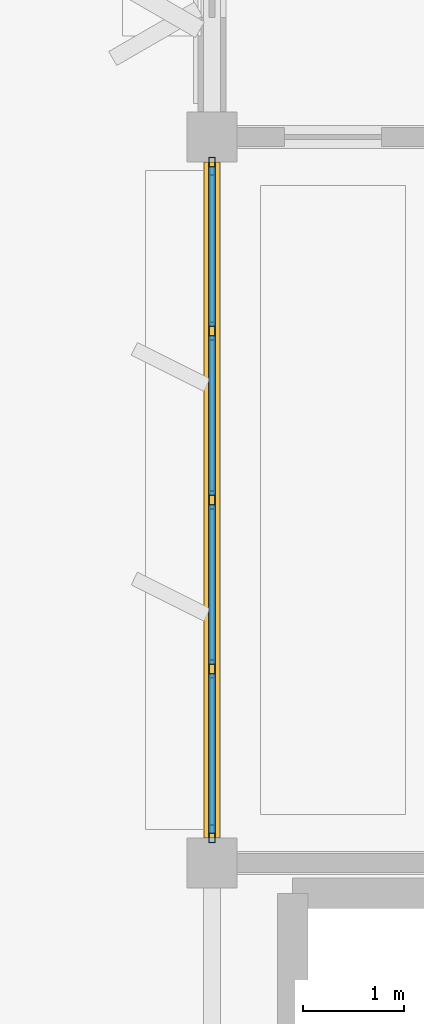
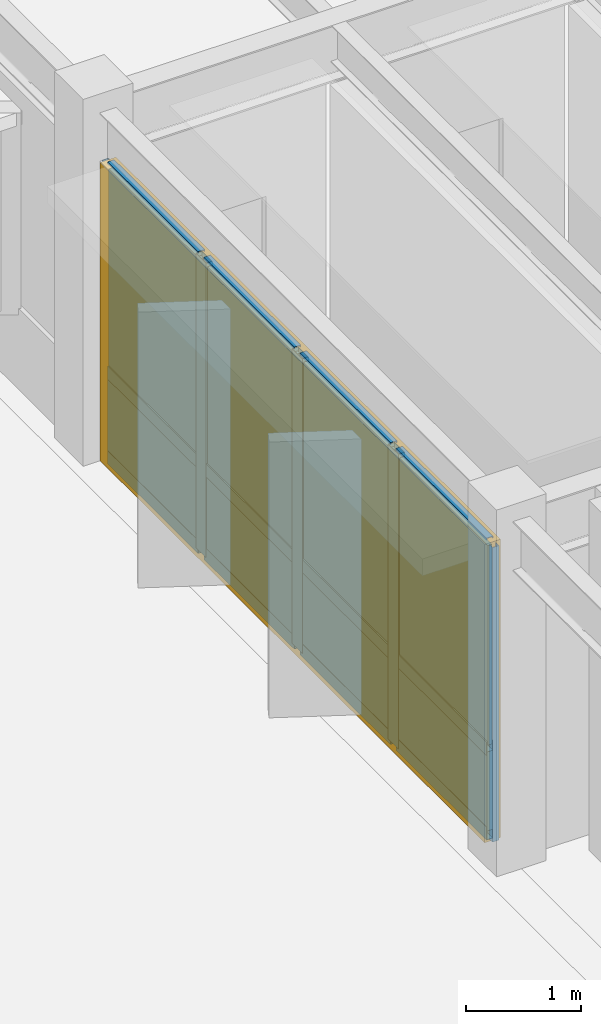
# One storey, part 9 of 23: 17 members, 8 plates, 1 curtain wall.
"""IFC4 building model written with IfcOpenShell, lengths in metres."""

from ifc_helpers import new_model, si_unit, direction, frame, origin, origin_2d, place, context, subcontext, project, spatial, rectangle, hollow_rectangle, extrude, material, layer, layer_set, material_profile, profile_set, type_object, element, aggregate, save


model = new_model("IFC4")

# Units and contexts
model_context = context("Model", 3, precision=1e-05, world=origin(), true_north=direction((0.0, 1.0)))
body_context = subcontext(model_context, "Body", "Model", "MODEL_VIEW")
ifc_project = project(units=[si_unit("LENGTHUNIT", "METRE"), si_unit("AREAUNIT", "SQUARE_METRE"), si_unit("VOLUMEUNIT", "CUBIC_METRE"), si_unit("PLANEANGLEUNIT", "RADIAN"), si_unit("MASSUNIT", "GRAM", prefix="KILO")], contexts=[model_context])

# Member
ifc_material_1 = material(Name="Anodized Aluminium 6063-T6", Category="aluminium")
ifc_material_profile_1 = material_profile(ifc_material_1, hollow_rectangle(XDim=0.06494140625, YDim=0.179931640625, WallThickness=0.00390625, at=origin_2d()), Name="ALU 65x180x4")
ifc_profile_set_1 = profile_set([ifc_material_profile_1], Name="Anodized Aluminium 6063-T6")
member_type_1 = type_object("IfcMemberType", Name="CWM-65X150", PredefinedType="MULLION", material=ifc_profile_set_1)
site_placement = place(None, origin())
building_placement = place(site_placement, origin())
storey_placement = place(building_placement, frame((0.0, 0.0, 21.89990234375)))
member_1_placement = place(storey_placement, frame((50.39990234375, 93.889892578125, 0.02001953125), z_axis=(0.0, 0.0, 1.0), x_axis=(1.0, 0.0, 0.0)))
member_1 = element("IfcMember", 1, at=member_1_placement, type_object=member_type_1, Name="Curtain wall mullion CW-L06-07-13-W-00", PredefinedType="MULLION", context=body_context, shape_type="SweptSolid", body=[
    extrude(hollow_rectangle(XDim=0.06494140625, YDim=0.179931640625, WallThickness=0.00390625, at=origin_2d()), origin(), (0.0, 0.0, 1.0), 3.132080078125),
])

member_2_placement = place(storey_placement, frame((50.39990234375, 95.52490234375, 0.02001953125), z_axis=(0.0, 0.0, 1.0), x_axis=(1.0, 0.0, 0.0)))
member_2 = element("IfcMember", 2, at=member_2_placement, type_object=member_type_1, Name="Curtain wall mullion CW-L06-07-13-W-01", PredefinedType="MULLION", context=body_context, shape_type="SweptSolid", body=[
    extrude(hollow_rectangle(XDim=0.06494140625, YDim=0.179931640625, WallThickness=0.00390625, at=origin_2d()), origin(), (0.0, 0.0, 1.0), 3.132080078125),
])

member_3_placement = place(storey_placement, frame((50.39990234375, 97.199951171875, 0.02001953125), z_axis=(0.0, 0.0, 1.0), x_axis=(1.0, 0.0, 0.0)))
member_3 = element("IfcMember", 3, at=member_3_placement, type_object=member_type_1, Name="Curtain wall mullion CW-L06-07-13-W-02", PredefinedType="MULLION", context=body_context, shape_type="SweptSolid", body=[
    extrude(hollow_rectangle(XDim=0.06494140625, YDim=0.179931640625, WallThickness=0.00390625, at=origin_2d()), origin(), (0.0, 0.0, 1.0), 3.132080078125),
])

member_4_placement = place(storey_placement, frame((50.39990234375, 98.875, 0.02001953125), z_axis=(0.0, 0.0, 1.0), x_axis=(1.0, 0.0, 0.0)))
member_4 = element("IfcMember", 4, at=member_4_placement, type_object=member_type_1, Name="Curtain wall mullion CW-L06-07-13-W-03", PredefinedType="MULLION", context=body_context, shape_type="SweptSolid", body=[
    extrude(hollow_rectangle(XDim=0.06494140625, YDim=0.179931640625, WallThickness=0.00390625, at=origin_2d()), origin(), (0.0, 0.0, 1.0), 3.132080078125),
])

member_5_placement = place(storey_placement, frame((50.39990234375, 100.510009765625, 0.02001953125), z_axis=(0.0, 0.0, 1.0), x_axis=(1.0, 0.0, 0.0)))
member_5 = element("IfcMember", 5, at=member_5_placement, type_object=member_type_1, Name="Curtain wall mullion CW-L06-07-13-W-04", PredefinedType="MULLION", context=body_context, shape_type="SweptSolid", body=[
    extrude(hollow_rectangle(XDim=0.06494140625, YDim=0.179931640625, WallThickness=0.00390625, at=origin_2d()), origin(), (0.0, 0.0, 1.0), 3.132080078125),
])

ifc_material_profile_2 = material_profile(ifc_material_1, hollow_rectangle(XDim=0.06494140625, YDim=0.139892578125, WallThickness=0.00390625, at=origin_2d()), Name="ALU 65x140x4")
ifc_profile_set_2 = profile_set([ifc_material_profile_2], Name="Anodized Aluminium 6063-T6")
member_type_2 = type_object("IfcMemberType", Name="CWT-65X120", PredefinedType="USERDEFINED", material=ifc_profile_set_2)
member_6_placement = place(storey_placement, frame((50.39990234375, 93.89990234375, 0.050048828125), z_axis=(0.0, 1.0, 0.0), x_axis=(-1.0, 0.0, 0.0)))
member_6 = element("IfcMember", 6, at=member_6_placement, type_object=member_type_2, Name="Curtain wall transom CW-L06-07-13-W-1.01", ObjectType="TRANSOM", PredefinedType="USERDEFINED", context=body_context, shape_type="SweptSolid", body=[
    extrude(hollow_rectangle(XDim=0.06494140625, YDim=0.139892578125, WallThickness=0.00390625, at=origin_2d()), origin(), (0.0, 0.0, 1.0), 1.5751953125),
])

member_7_placement = place(storey_placement, frame((50.39990234375, 95.574951171875, 0.050048828125), z_axis=(0.0, 1.0, 0.0), x_axis=(-1.0, 0.0, 0.0)))
member_7 = element("IfcMember", 7, at=member_7_placement, type_object=member_type_2, Name="Curtain wall transom CW-L06-07-13-W-1.02", ObjectType="TRANSOM", PredefinedType="USERDEFINED", context=body_context, shape_type="SweptSolid", body=[
    extrude(hollow_rectangle(XDim=0.06494140625, YDim=0.139892578125, WallThickness=0.00390625, at=origin_2d()), origin(), (0.0, 0.0, 1.0), 1.574951171875),
])

member_8_placement = place(storey_placement, frame((50.39990234375, 97.25, 0.050048828125), z_axis=(0.0, 1.0, 0.0), x_axis=(-1.0, 0.0, 0.0)))
member_8 = element("IfcMember", 8, at=member_8_placement, type_object=member_type_2, Name="Curtain wall transom CW-L06-07-13-W-1.03", ObjectType="TRANSOM", PredefinedType="USERDEFINED", context=body_context, shape_type="SweptSolid", body=[
    extrude(hollow_rectangle(XDim=0.06494140625, YDim=0.139892578125, WallThickness=0.00390625, at=origin_2d()), origin(), (0.0, 0.0, 1.0), 1.574951171875),
])

member_9_placement = place(storey_placement, frame((50.39990234375, 98.925048828125, 0.050048828125), z_axis=(0.0, 1.0, 0.0), x_axis=(-1.0, 0.0, 0.0)))
member_9 = element("IfcMember", 9, at=member_9_placement, type_object=member_type_2, Name="Curtain wall transom CW-L06-07-13-W-1.04", ObjectType="TRANSOM", PredefinedType="USERDEFINED", context=body_context, shape_type="SweptSolid", body=[
    extrude(hollow_rectangle(XDim=0.06494140625, YDim=0.139892578125, WallThickness=0.00390625, at=origin_2d()), origin(), (0.0, 0.0, 1.0), 1.574951171875),
])

member_10_placement = place(storey_placement, frame((50.39990234375, 93.89990234375, 0.9501953125), z_axis=(0.0, 1.0, 0.0), x_axis=(-1.0, 0.0, 0.0)))
member_10 = element("IfcMember", 10, at=member_10_placement, type_object=member_type_2, Name="Curtain wall transom CW-L06-07-13-W-2.01", ObjectType="TRANSOM", PredefinedType="USERDEFINED", context=body_context, shape_type="SweptSolid", body=[
    extrude(hollow_rectangle(XDim=0.06494140625, YDim=0.139892578125, WallThickness=0.00390625, at=origin_2d()), origin(), (0.0, 0.0, 1.0), 1.5751953125),
])

member_11_placement = place(storey_placement, frame((50.39990234375, 95.574951171875, 0.9501953125), z_axis=(0.0, 1.0, 0.0), x_axis=(-1.0, 0.0, 0.0)))
member_11 = element("IfcMember", 11, at=member_11_placement, type_object=member_type_2, Name="Curtain wall transom CW-L06-07-13-W-2.02", ObjectType="TRANSOM", PredefinedType="USERDEFINED", context=body_context, shape_type="SweptSolid", body=[
    extrude(hollow_rectangle(XDim=0.06494140625, YDim=0.139892578125, WallThickness=0.00390625, at=origin_2d()), origin(), (0.0, 0.0, 1.0), 1.574951171875),
])

member_12_placement = place(storey_placement, frame((50.39990234375, 97.25, 0.9501953125), z_axis=(0.0, 1.0, 0.0), x_axis=(-1.0, 0.0, 0.0)))
member_12 = element("IfcMember", 12, at=member_12_placement, type_object=member_type_2, Name="Curtain wall transom CW-L06-07-13-W-2.03", ObjectType="TRANSOM", PredefinedType="USERDEFINED", context=body_context, shape_type="SweptSolid", body=[
    extrude(hollow_rectangle(XDim=0.06494140625, YDim=0.139892578125, WallThickness=0.00390625, at=origin_2d()), origin(), (0.0, 0.0, 1.0), 1.574951171875),
])

member_13_placement = place(storey_placement, frame((50.39990234375, 98.925048828125, 0.9501953125), z_axis=(0.0, 1.0, 0.0), x_axis=(-1.0, 0.0, 0.0)))
member_13 = element("IfcMember", 13, at=member_13_placement, type_object=member_type_2, Name="Curtain wall transom CW-L06-07-13-W-2.04", ObjectType="TRANSOM", PredefinedType="USERDEFINED", context=body_context, shape_type="SweptSolid", body=[
    extrude(hollow_rectangle(XDim=0.06494140625, YDim=0.139892578125, WallThickness=0.00390625, at=origin_2d()), origin(), (0.0, 0.0, 1.0), 1.574951171875),
])

member_14_placement = place(storey_placement, frame((50.39990234375, 93.89990234375, 3.1220703125), z_axis=(0.0, 1.0, 0.0), x_axis=(-1.0, 0.0, 0.0)))
member_14 = element("IfcMember", 14, at=member_14_placement, type_object=member_type_2, Name="Curtain wall transom CW-L06-07-13-W-3.01", ObjectType="TRANSOM", PredefinedType="USERDEFINED", context=body_context, shape_type="SweptSolid", body=[
    extrude(hollow_rectangle(XDim=0.06494140625, YDim=0.139892578125, WallThickness=0.00390625, at=origin_2d()), origin(), (0.0, 0.0, 1.0), 1.5751953125),
])

member_15_placement = place(storey_placement, frame((50.39990234375, 95.574951171875, 3.1220703125), z_axis=(0.0, 1.0, 0.0), x_axis=(-1.0, 0.0, 0.0)))
member_15 = element("IfcMember", 15, at=member_15_placement, type_object=member_type_2, Name="Curtain wall transom CW-L06-07-13-W-3.02", ObjectType="TRANSOM", PredefinedType="USERDEFINED", context=body_context, shape_type="SweptSolid", body=[
    extrude(hollow_rectangle(XDim=0.06494140625, YDim=0.139892578125, WallThickness=0.00390625, at=origin_2d()), origin(), (0.0, 0.0, 1.0), 1.574951171875),
])

member_16_placement = place(storey_placement, frame((50.39990234375, 97.25, 3.1220703125), z_axis=(0.0, 1.0, 0.0), x_axis=(-1.0, 0.0, 0.0)))
member_16 = element("IfcMember", 16, at=member_16_placement, type_object=member_type_2, Name="Curtain wall transom CW-L06-07-13-W-3.03", ObjectType="TRANSOM", PredefinedType="USERDEFINED", context=body_context, shape_type="SweptSolid", body=[
    extrude(hollow_rectangle(XDim=0.06494140625, YDim=0.139892578125, WallThickness=0.00390625, at=origin_2d()), origin(), (0.0, 0.0, 1.0), 1.574951171875),
])

member_17_placement = place(storey_placement, frame((50.39990234375, 98.925048828125, 3.1220703125), z_axis=(0.0, 1.0, 0.0), x_axis=(-1.0, 0.0, 0.0)))
member_17 = element("IfcMember", 17, at=member_17_placement, type_object=member_type_2, Name="Curtain wall transom CW-L06-07-13-W-3.04", ObjectType="TRANSOM", PredefinedType="USERDEFINED", context=body_context, shape_type="SweptSolid", body=[
    extrude(hollow_rectangle(XDim=0.06494140625, YDim=0.139892578125, WallThickness=0.00390625, at=origin_2d()), origin(), (0.0, 0.0, 1.0), 1.574951171875),
])

# Plate
ifc_material_2 = material(Name="Double Low-E Insulated Glazing Unit", Category="glass")
ifc_layer_1 = layer(ifc_material_2, 0.0380859375)
ifc_layer_set_1 = layer_set([ifc_layer_1], Name="Double Low-E Insulated Glazing Unit")
plate_type_1 = type_object("IfcPlateType", Name="CWP-IGU-38", PredefinedType="CURTAIN_PANEL", material=ifc_layer_set_1)
plate_1_placement = place(storey_placement, frame((50.39990234375, 94.6875, 0.989990234375), z_axis=(0.0, 0.0, 1.0), x_axis=(0.0, 1.0, 0.0)))
plate_1 = element("IfcPlate", 18, at=plate_1_placement, type_object=plate_type_1, Name="Curtain wall vision glazing CW-L06-07-13-W-01", PredefinedType="CURTAIN_PANEL", context=body_context, shape_type="SweptSolid", body=[
    extrude(rectangle(XDim=1.5849609375, YDim=0.0400390625, at=origin_2d()), origin(), (0.0, 0.0, 1.0), 2.1220703125),
])

plate_2_placement = place(storey_placement, frame((50.39990234375, 96.362548828125, 0.989990234375), z_axis=(0.0, 0.0, 1.0), x_axis=(0.0, 1.0, 0.0)))
plate_2 = element("IfcPlate", 19, at=plate_2_placement, type_object=plate_type_1, Name="Curtain wall vision glazing CW-L06-07-13-W-02", PredefinedType="CURTAIN_PANEL", context=body_context, shape_type="SweptSolid", body=[
    extrude(rectangle(XDim=1.5849609375, YDim=0.0400390625, at=origin_2d()), origin(), (0.0, 0.0, 1.0), 2.1220703125),
])

plate_3_placement = place(storey_placement, frame((50.39990234375, 98.03759765625, 0.989990234375), z_axis=(0.0, 0.0, 1.0), x_axis=(0.0, 1.0, 0.0)))
plate_3 = element("IfcPlate", 20, at=plate_3_placement, type_object=plate_type_1, Name="Curtain wall vision glazing CW-L06-07-13-W-03", PredefinedType="CURTAIN_PANEL", context=body_context, shape_type="SweptSolid", body=[
    extrude(rectangle(XDim=1.5849609375, YDim=0.0400390625, at=origin_2d()), origin(), (0.0, 0.0, 1.0), 2.1220703125),
])

plate_4_placement = place(storey_placement, frame((50.39990234375, 99.71240234375, 0.989990234375), z_axis=(0.0, 0.0, 1.0), x_axis=(0.0, 1.0, 0.0)))
plate_4 = element("IfcPlate", 21, at=plate_4_placement, type_object=plate_type_1, Name="Curtain wall vision glazing CW-L06-07-13-W-04", PredefinedType="CURTAIN_PANEL", context=body_context, shape_type="SweptSolid", body=[
    extrude(rectangle(XDim=1.5849609375, YDim=0.0400390625, at=origin_2d()), origin(), (0.0, 0.0, 1.0), 2.1220703125),
])

ifc_material_3 = material(Name="Insulated Bronze Aluminium Spandrel", Category="aluminium")
ifc_layer_2 = layer(ifc_material_3, 0.06005859375)
ifc_layer_set_2 = layer_set([ifc_layer_2], Name="Insulated Bronze Aluminium Spandrel")
plate_type_2 = type_object("IfcPlateType", Name="CWP-SPN-60", PredefinedType="CURTAIN_PANEL", material=ifc_layer_set_2)
plate_5_placement = place(storey_placement, frame((50.39990234375, 94.6875, 0.080078125), z_axis=(0.0, 0.0, 1.0), x_axis=(0.0, 1.0, 0.0)))
plate_5 = element("IfcPlate", 22, at=plate_5_placement, type_object=plate_type_2, Name="Curtain wall spandrel panel CW-L06-07-13-W-01", PredefinedType="CURTAIN_PANEL", context=body_context, shape_type="SweptSolid", body=[
    extrude(rectangle(XDim=1.5849609375, YDim=0.06005859375, at=origin_2d()), origin(), (0.0, 0.0, 1.0), 0.840087890625),
])

plate_6_placement = place(storey_placement, frame((50.39990234375, 96.362548828125, 0.080078125), z_axis=(0.0, 0.0, 1.0), x_axis=(0.0, 1.0, 0.0)))
plate_6 = element("IfcPlate", 23, at=plate_6_placement, type_object=plate_type_2, Name="Curtain wall spandrel panel CW-L06-07-13-W-02", PredefinedType="CURTAIN_PANEL", context=body_context, shape_type="SweptSolid", body=[
    extrude(rectangle(XDim=1.5849609375, YDim=0.06005859375, at=origin_2d()), origin(), (0.0, 0.0, 1.0), 0.840087890625),
])

plate_7_placement = place(storey_placement, frame((50.39990234375, 98.03759765625, 0.080078125), z_axis=(0.0, 0.0, 1.0), x_axis=(0.0, 1.0, 0.0)))
plate_7 = element("IfcPlate", 24, at=plate_7_placement, type_object=plate_type_2, Name="Curtain wall spandrel panel CW-L06-07-13-W-03", PredefinedType="CURTAIN_PANEL", context=body_context, shape_type="SweptSolid", body=[
    extrude(rectangle(XDim=1.5849609375, YDim=0.06005859375, at=origin_2d()), origin(), (0.0, 0.0, 1.0), 0.840087890625),
])

plate_8_placement = place(storey_placement, frame((50.39990234375, 99.71240234375, 0.080078125), z_axis=(0.0, 0.0, 1.0), x_axis=(0.0, 1.0, 0.0)))
plate_8 = element("IfcPlate", 25, at=plate_8_placement, type_object=plate_type_2, Name="Curtain wall spandrel panel CW-L06-07-13-W-04", PredefinedType="CURTAIN_PANEL", context=body_context, shape_type="SweptSolid", body=[
    extrude(rectangle(XDim=1.5849609375, YDim=0.06005859375, at=origin_2d()), origin(), (0.0, 0.0, 1.0), 0.840087890625),
])

# Site, building, storey
site = spatial("IfcSite", under=ifc_project, at=site_placement, CompositionType="ELEMENT")
building = spatial("IfcBuilding", under=site, at=building_placement, Name="Sillqori Civic Hall", CompositionType="ELEMENT")
storey = spatial("IfcBuildingStorey", under=building, at=storey_placement, Name="L06", CompositionType="ELEMENT", Elevation=21.89990234375)

# Curtain wall
ifc_material_4 = material(Name="Anodized Aluminium Curtain Wall System", Category="aluminium")
curtain_wall_type = type_object("IfcCurtainWallType", Name="CW-EX-375", PredefinedType="NOTDEFINED", material=ifc_material_4)
curtain_wall_placement = place(storey_placement, frame((50.39990234375, 97.199951171875, 0.0), z_axis=(0.0, 0.0, 1.0), x_axis=(0.0, 1.0, 0.0)))
curtain_wall = element("IfcCurtainWall", 26, at=curtain_wall_placement, inside=storey, type_object=curtain_wall_type, Name="L06 unitised curtain wall CW-L06-07-13-W", PredefinedType="NOTDEFINED", context=body_context, shape_type="SweptSolid", body=[
    extrude(rectangle(XDim=6.699951171875, YDim=0.159912109375, at=origin_2d()), origin(), (0.0, 0.0, 1.0), 3.172119140625),
])

aggregate(curtain_wall, [member_1, member_2, member_3, member_4, member_5, member_6, member_7, member_8, member_9, member_10, member_11, member_12, member_13, member_14, member_15, member_16, member_17, plate_5, plate_1, plate_6, plate_2, plate_7, plate_3, plate_8, plate_4])

save(model, "model.ifc")
